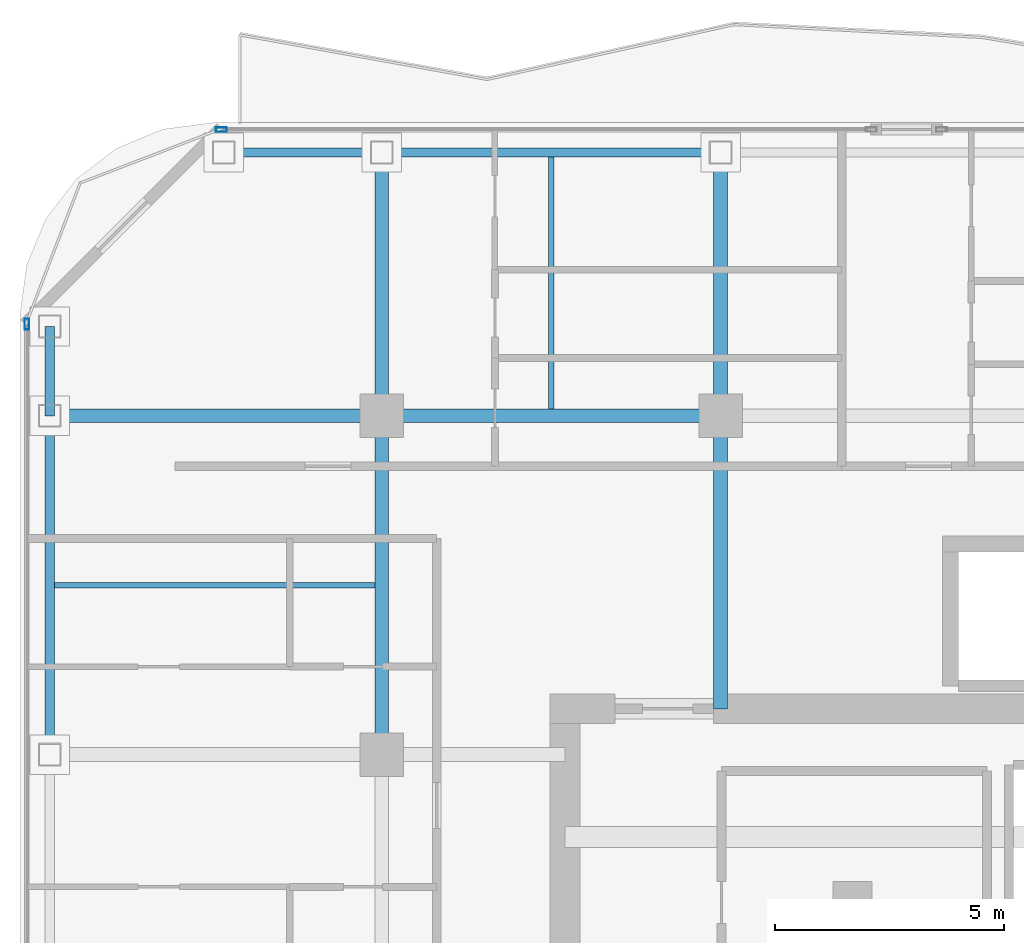
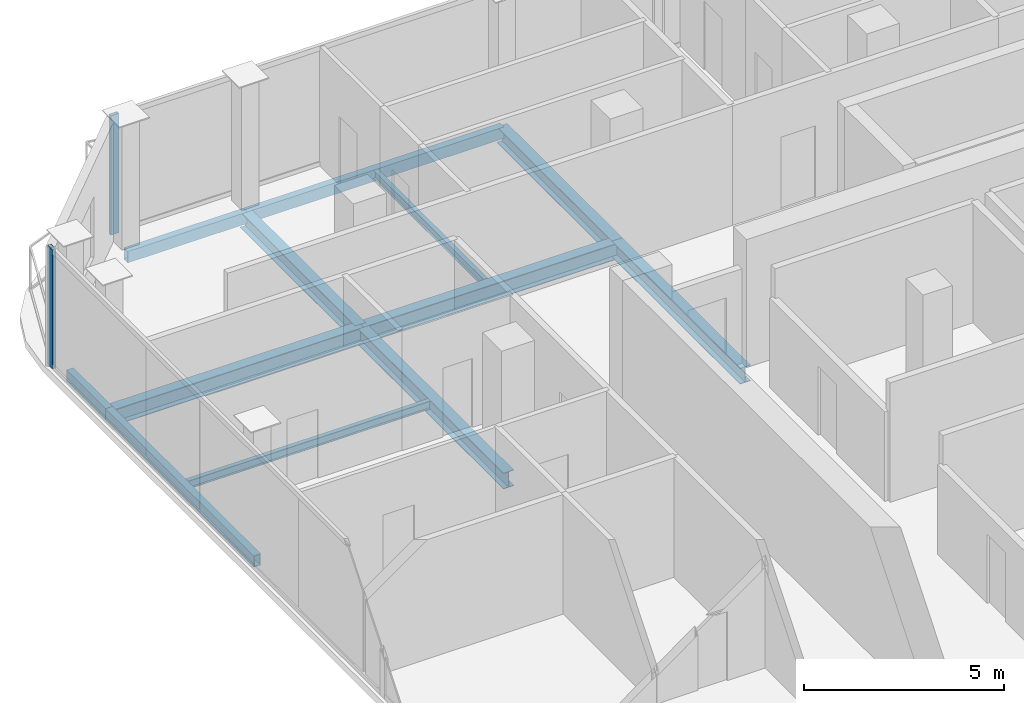
# One storey, part 10 of 22: 12 beams, 2 members, 2 elements without a shape of their own.
"""IFC4 building model written with IfcOpenShell, lengths in metres."""

from ifc_helpers import new_model, si_unit, direction, frame, origin, origin_2d, place, context, subcontext, project, spatial, hollow_rectangle, i_section, extrude, material, layer, layer_set, material_profile, profile_set, type_object, element, aggregate, save


model = new_model("IFC4")

# Units and contexts
model_context = context("Model", 3, precision=1e-05, world=origin(), true_north=direction((0.0, 1.0)))
body_context = subcontext(model_context, "Body", "Model", "MODEL_VIEW")
ifc_project = project(units=[si_unit("LENGTHUNIT", "METRE"), si_unit("AREAUNIT", "SQUARE_METRE"), si_unit("VOLUMEUNIT", "CUBIC_METRE"), si_unit("PLANEANGLEUNIT", "RADIAN"), si_unit("MASSUNIT", "GRAM", prefix="KILO")], contexts=[model_context])

# Site, building, storey
site_placement = place(None, origin())
site = spatial("IfcSite", under=ifc_project, at=site_placement, CompositionType="ELEMENT")
building_placement = place(site_placement, origin())
building = spatial("IfcBuilding", under=site, at=building_placement, Name="Khorvyn Point Tower", CompositionType="ELEMENT")
storey_placement = place(building_placement, frame((0.0, 0.0, 309.300048828125)))
storey = spatial("IfcBuildingStorey", under=building, at=storey_placement, Name="L76", CompositionType="ELEMENT", Elevation=309.300048828125)

# Curtain wall, member
ifc_material_1 = material(Name="Anodised aluminium 6063-T6 and laminated Low-E glass", Category="aluminium")
ifc_layer = layer(ifc_material_1, 0.18994140625)
ifc_layer_set = layer_set([ifc_layer], Name="Stick-Built High-Wind Curtain Wall CW-SYS-04")
curtain_wall_type = type_object("IfcCurtainWallType", Name="Stick-Built High-Wind Curtain Wall CW-SYS-04", PredefinedType="NOTDEFINED", material=ifc_layer_set)
curtain_wall_1_placement = place(storey_placement, origin())
curtain_wall_1 = element("IfcCurtainWall", 1, at=curtain_wall_1_placement, inside=storey, type_object=curtain_wall_type, Name="Curtain Wall", PredefinedType="NOTDEFINED")
ifc_material_2 = material(Name="Anodised aluminium 6063-T6", Category="aluminium")
ifc_material_profile_1 = material_profile(ifc_material_2, hollow_rectangle(XDim=0.10009765625, YDim=0.239990234375, WallThickness=0.0048828125, at=origin_2d()))
ifc_profile_set_1 = profile_set([ifc_material_profile_1], Name="Anodised aluminium 6063-T6 ALU-MUL-100x240")
member_type = type_object("IfcMemberType", Name="Anodised Aluminium 6063-T6 Mullion ALU-MUL-100x240", PredefinedType="MULLION", material=ifc_profile_set_1)
member_1_placement = place(storey_placement, frame((-18.300048828125, 21.050048828125, 0.0), z_axis=(0.0, 0.0, 1.0), x_axis=(0.0, 1.0, 0.0)))
member_1 = element("IfcMember", 2, at=member_1_placement, type_object=member_type, Name="Transom", PredefinedType="MULLION", context=body_context, shape_type="SweptSolid", body=[
    extrude(hollow_rectangle(XDim=0.10009765625, YDim=0.239990234375, WallThickness=0.0048828125, at=origin_2d()), origin(), (0.0, 0.0, 1.0), 3.639892578125),
])
aggregate(curtain_wall_1, [member_1])

curtain_wall_2_placement = place(storey_placement, origin())
curtain_wall_2 = element("IfcCurtainWall", 3, at=curtain_wall_2_placement, inside=storey, type_object=curtain_wall_type, Name="Curtain Wall", PredefinedType="NOTDEFINED")
member_2_placement = place(storey_placement, frame((-22.550048828125, 16.800048828125, 0.0), z_axis=(0.0, 0.0, 1.0), x_axis=(-1.0, 0.0, 0.0)))
member_2 = element("IfcMember", 4, at=member_2_placement, type_object=member_type, Name="Transom", PredefinedType="MULLION", context=body_context, shape_type="SweptSolid", body=[
    extrude(hollow_rectangle(XDim=0.10009765625, YDim=0.239990234375, WallThickness=0.0048828125, at=origin_2d()), origin(), (0.0, 0.0, 1.0), 3.639892578125),
])
aggregate(curtain_wall_2, [member_2])

# Beams
ifc_material_3 = material(Name="Steel S355", Category="steel")
ifc_material_profile_2 = material_profile(ifc_material_3, i_section(OverallWidth=0.125, OverallDepth=0.25, WebThickness=0.006103515625, FlangeThickness=0.009033203125, at=origin_2d()))
ifc_profile_set_2 = profile_set([ifc_material_profile_2], Name="Steel S355 H250x125x6x9")
beam_type_1 = type_object("IfcBeamType", Name="Steel S355 Joist H250x125x6x9", PredefinedType="JOIST", material=ifc_profile_set_2)
beam_1_placement = place(storey_placement, frame((-21.949951171875, 11.10009765625, -0.344970703125), z_axis=(1.0, 0.0, 0.0), x_axis=(0.0, 1.0, 0.0)))
element("IfcBeam", 5, at=beam_1_placement, inside=storey, type_object=beam_type_1, Name="Beam", PredefinedType="JOIST", context=body_context, shape_type="SweptSolid", body=[
    extrude(i_section(OverallWidth=0.125, OverallDepth=0.25, WebThickness=0.006103515625, FlangeThickness=0.009033203125, at=origin_2d()), origin(), (0.0, 0.0, 1.0), 7.0),
])
beam_2_placement = place(storey_placement, frame((-11.10009765625, 14.949951171875, -0.344970703125), z_axis=(0.0, 1.0, 0.0), x_axis=(-1.0, 0.0, 0.0)))
element("IfcBeam", 6, at=beam_2_placement, inside=storey, type_object=beam_type_1, Name="Beam", PredefinedType="JOIST", context=body_context, shape_type="SweptSolid", body=[
    extrude(i_section(OverallWidth=0.125, OverallDepth=0.25, WebThickness=0.006103515625, FlangeThickness=0.009033203125, at=origin_2d()), origin(), (0.0, 0.0, 1.0), 5.5),
])
ifc_material_profile_3 = material_profile(ifc_material_3, i_section(OverallWidth=0.300048828125, OverallDepth=0.488037109375, WebThickness=0.010986328125, FlangeThickness=0.01806640625, at=origin_2d()))
ifc_profile_set_3 = profile_set([ifc_material_profile_3], Name="Steel S355 H488x300x11x18")
beam_type_2 = type_object("IfcBeamType", Name="Steel S355 Spandrel H488x300x11x18", PredefinedType="SPANDREL", material=ifc_profile_set_3)
beam_3_placement = place(storey_placement, frame((-22.050048828125, 14.800048828125, -0.464111328125), z_axis=(1.0, 0.0, 0.0), x_axis=(0.0, 1.0, 0.0)))
element("IfcBeam", 7, at=beam_3_placement, inside=storey, type_object=beam_type_2, Name="Beam", PredefinedType="SPANDREL", context=body_context, shape_type="SweptSolid", body=[
    extrude(i_section(OverallWidth=0.300048828125, OverallDepth=0.488037109375, WebThickness=0.010986328125, FlangeThickness=0.01806640625, at=origin_2d()), origin(), (0.0, 0.0, 1.0), 7.25),
])
for number, where, z_axis, x_axis, name in (
    (8, (-14.800048828125, 14.800048828125, -0.464111328125), (1.0, 0.0, 0.0), (0.0, 1.0, 0.0), "Beam"),
    (9, (-14.800048828125, 7.39990234375, -0.464111328125), (0.0, 1.0, 0.0), (-1.0, 0.0, 0.0), "Beam"),
):
    element("IfcBeam", number, at=place(storey_placement, frame(where, z_axis=z_axis, x_axis=x_axis)), inside=storey, type_object=beam_type_2, Name=name, PredefinedType="SPANDREL", context=body_context, shape_type="SweptSolid", body=[
        extrude(i_section(OverallWidth=0.300048828125, OverallDepth=0.488037109375, WebThickness=0.010986328125, FlangeThickness=0.01806640625, at=origin_2d()), origin(), (0.0, 0.0, 1.0), 7.400146484375),
    ])
beam_4_placement = place(storey_placement, frame((-14.800048828125, 14.800048828125, -0.464111328125), z_axis=(0.0, 1.0, 0.0), x_axis=(-1.0, 0.0, 0.0)))
element("IfcBeam", 10, at=beam_4_placement, inside=storey, type_object=beam_type_2, Name="Beam", PredefinedType="SPANDREL", context=body_context, shape_type="SweptSolid", body=[
    extrude(i_section(OverallWidth=0.300048828125, OverallDepth=0.488037109375, WebThickness=0.010986328125, FlangeThickness=0.01806640625, at=origin_2d()), origin(), (0.0, 0.0, 1.0), 5.75),
])
beam_5_placement = place(storey_placement, frame((-7.39990234375, 8.39990234375, -0.464111328125), z_axis=(0.0, 1.0, 0.0), x_axis=(-1.0, 0.0, 0.0)))
element("IfcBeam", 11, at=beam_5_placement, inside=storey, type_object=beam_type_2, Name="Beam", PredefinedType="SPANDREL", context=body_context, shape_type="SweptSolid", body=[
    extrude(i_section(OverallWidth=0.300048828125, OverallDepth=0.488037109375, WebThickness=0.010986328125, FlangeThickness=0.01806640625, at=origin_2d()), origin(), (0.0, 0.0, 1.0), 6.400146484375),
])
beam_6_placement = place(storey_placement, frame((-7.39990234375, 14.800048828125, -0.464111328125), z_axis=(0.0, 1.0, 0.0), x_axis=(-1.0, 0.0, 0.0)))
element("IfcBeam", 12, at=beam_6_placement, inside=storey, type_object=beam_type_2, Name="Beam", PredefinedType="SPANDREL", context=body_context, shape_type="SweptSolid", body=[
    extrude(i_section(OverallWidth=0.300048828125, OverallDepth=0.488037109375, WebThickness=0.010986328125, FlangeThickness=0.01806640625, at=origin_2d()), origin(), (0.0, 0.0, 1.0), 5.75),
])
ifc_material_profile_4 = material_profile(ifc_material_3, hollow_rectangle(XDim=0.199951171875, YDim=0.35009765625, WallThickness=0.013916015625, at=origin_2d()))
ifc_profile_set_4 = profile_set([ifc_material_profile_4], Name="Steel S355 RHS350x200x14")
beam_type_3 = type_object("IfcBeamType", Name="Steel S355 Spandrel RHS350x200x14", PredefinedType="SPANDREL", material=ifc_profile_set_4)
beam_7_placement = place(storey_placement, frame((-18.25, 20.550048828125, -0.39501953125), z_axis=(1.0, 0.0, 0.0), x_axis=(0.0, 1.0, 0.0)))
element("IfcBeam", 13, at=beam_7_placement, inside=storey, type_object=beam_type_3, Name="Beam", PredefinedType="SPANDREL", context=body_context, shape_type="SweptSolid", body=[
    extrude(hollow_rectangle(XDim=0.199951171875, YDim=0.35009765625, WallThickness=0.013916015625, at=origin_2d()), origin(), (0.0, 0.0, 1.0), 3.449951171875),
])
for number, where, z_axis, x_axis, name in (
    (14, (-14.800048828125, 20.550048828125, -0.39501953125), (1.0, 0.0, 0.0), (0.0, 1.0, 0.0), "Beam"),
    (15, (-22.050048828125, 7.39990234375, -0.39501953125), (0.0, 1.0, 0.0), (-1.0, 0.0, 0.0), "Beam"),
):
    element("IfcBeam", number, at=place(storey_placement, frame(where, z_axis=z_axis, x_axis=x_axis)), inside=storey, type_object=beam_type_3, Name=name, PredefinedType="SPANDREL", context=body_context, shape_type="SweptSolid", body=[
        extrude(hollow_rectangle(XDim=0.199951171875, YDim=0.35009765625, WallThickness=0.013916015625, at=origin_2d()), origin(), (0.0, 0.0, 1.0), 7.400146484375),
    ])
beam_8_placement = place(storey_placement, frame((-22.050048828125, 14.800048828125, -0.39501953125), z_axis=(0.0, 1.0, 0.0), x_axis=(-1.0, 0.0, 0.0)))
element("IfcBeam", 16, at=beam_8_placement, inside=storey, type_object=beam_type_3, Name="Beam", PredefinedType="SPANDREL", context=body_context, shape_type="SweptSolid", body=[
    extrude(hollow_rectangle(XDim=0.199951171875, YDim=0.35009765625, WallThickness=0.013916015625, at=origin_2d()), origin(), (0.0, 0.0, 1.0), 1.949951171875),
])

save(model, "model.ifc")
